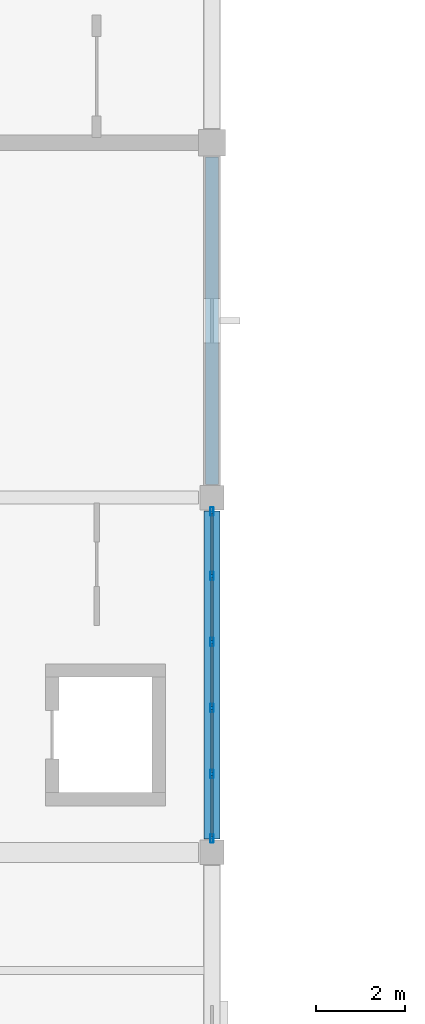
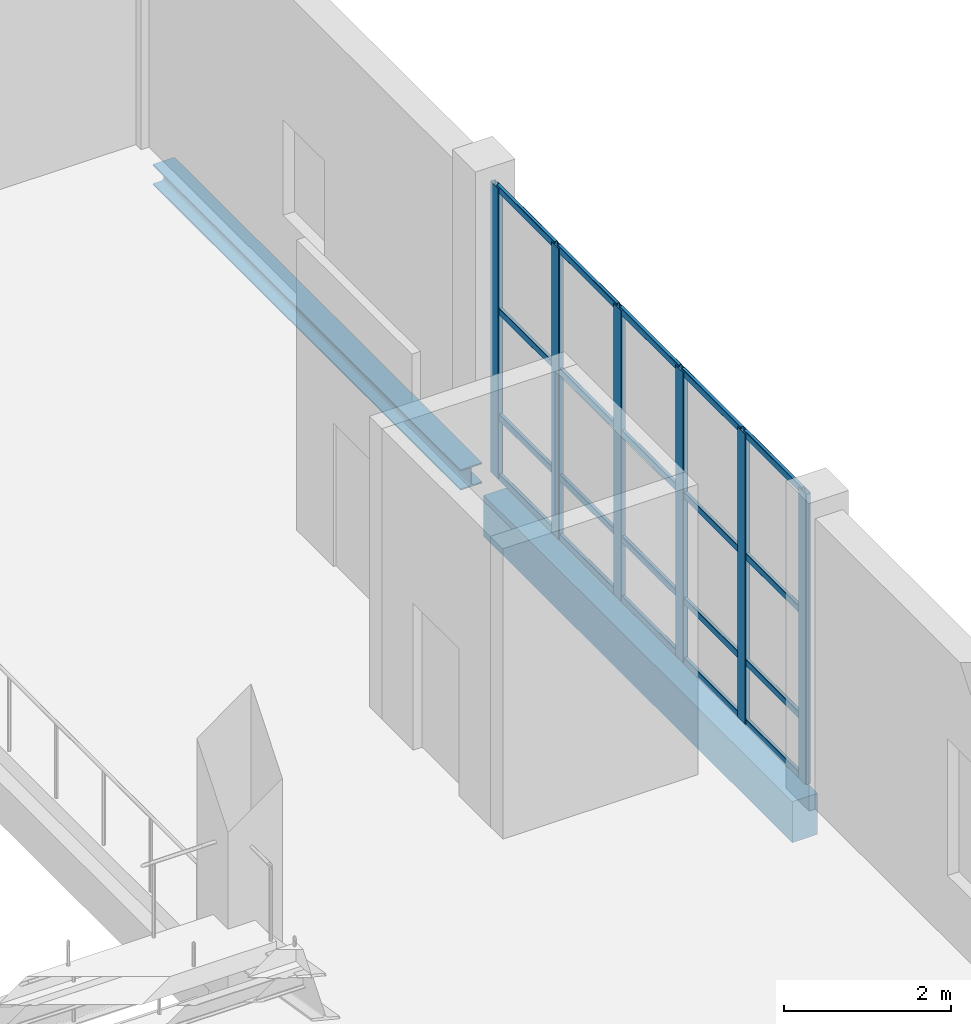
# One storey, part 51 of 183: 26 members, 2 beams, 1 element without a shape of its own.
"""IFC4 building model written with IfcOpenShell, lengths in metres."""

from ifc_helpers import new_model, si_unit, direction, frame, origin, origin_2d, place, context, subcontext, project, spatial, rectangle, hollow_rectangle, i_section, extrude, material, material_profile, profile_set, type_object, element, aggregate, save


model = new_model("IFC4")

# Units and contexts
model_context = context("Model", 3, precision=1e-05, world=origin(), true_north=direction((0.0, 1.0)))
body_context = subcontext(model_context, "Body", "Model", "MODEL_VIEW")
ifc_project = project(units=[si_unit("LENGTHUNIT", "METRE"), si_unit("AREAUNIT", "SQUARE_METRE"), si_unit("VOLUMEUNIT", "CUBIC_METRE"), si_unit("PLANEANGLEUNIT", "RADIAN"), si_unit("MASSUNIT", "GRAM", prefix="KILO")], contexts=[model_context])

# Site, building, storey
site_placement = place(None, origin())
site = spatial("IfcSite", under=ifc_project, at=site_placement, CompositionType="ELEMENT")
building_placement = place(site_placement, origin())
building = spatial("IfcBuilding", under=site, at=building_placement, Name="Luwemba Playhouse", CompositionType="ELEMENT")
storey_placement = place(building_placement, frame((0.0, 0.0, 4.800048828125)))
storey = spatial("IfcBuildingStorey", under=building, at=storey_placement, Name="L01", CompositionType="ELEMENT", Elevation=4.800048828125)

# Beams
ifc_material_1 = material(Name="Concrete C40/50", Category="concrete")
ifc_material_profile_1 = material_profile(ifc_material_1, rectangle(XDim=0.35009765625, YDim=0.60009765625, at=origin_2d()))
ifc_profile_set_1 = profile_set([ifc_material_profile_1], Name="Concrete C40/50")
beam_type_1 = type_object("IfcBeamType", Name="BM-SP3", PredefinedType="SPANDREL", material=ifc_profile_set_1)
beam_1_placement = place(storey_placement, frame((52.0, 52.300048828125, -0.550048828125), z_axis=(0.0, 1.0, 0.0), x_axis=(-1.0, 0.0, 0.0)))
element("IfcBeam", 1, at=beam_1_placement, inside=storey, type_object=beam_type_1, Name="L01 transverse girder 0373", PredefinedType="SPANDREL", context=body_context, shape_type="SweptSolid", body=[
    extrude(rectangle(XDim=0.35009765625, YDim=0.60009765625, at=origin_2d()), origin(), (0.0, 0.0, 1.0), 7.39990234375),
])
ifc_material_2 = material(Name="Steel S355", Category="steel")
ifc_material_profile_2 = material_profile(ifc_material_2, i_section(OverallWidth=0.300048828125, OverallDepth=0.300048828125, WebThickness=0.010986328125, FlangeThickness=0.01904296875, FilletRadius=0.027099609375, at=origin_2d()))
ifc_profile_set_2 = profile_set([ifc_material_profile_2], Name="Steel S355")
beam_type_2 = type_object("IfcBeamType", Name="BM-SSP1", PredefinedType="SPANDREL", material=ifc_profile_set_2)
beam_2_placement = place(storey_placement, frame((52.0, 60.300048828125, -0.400146484375), z_axis=(0.0, 1.0, 0.0), x_axis=(-1.0, 0.0, 0.0)))
element("IfcBeam", 2, at=beam_2_placement, inside=storey, type_object=beam_type_2, Name="L01 transverse girder 0374", PredefinedType="SPANDREL", context=body_context, shape_type="SweptSolid", body=[
    extrude(i_section(OverallWidth=0.300048828125, OverallDepth=0.300048828125, WebThickness=0.010986328125, FlangeThickness=0.01904296875, FilletRadius=0.027099609375, at=origin_2d()), origin(), (0.0, 0.0, 1.0), 7.375),
])

# Curtain wall, members
ifc_material_3 = material(Name="Solar-control double glazing", Category="glass")
curtain_wall_type = type_object("IfcCurtainWallType", Name="CW-CW73", PredefinedType="USERDEFINED", material=ifc_material_3)
curtain_wall_placement = place(storey_placement, origin())
curtain_wall = element("IfcCurtainWall", 3, at=curtain_wall_placement, inside=storey, type_object=curtain_wall_type, Name="L01 V1 unitised curtain wall 097", ObjectType="UNITISED GLAZING", PredefinedType="USERDEFINED")
ifc_material_4 = material(Name="Aluminium 6063-T6", Category="aluminium")
ifc_material_profile_3 = material_profile(ifc_material_4, hollow_rectangle(XDim=0.070068359375, YDim=0.18994140625, WallThickness=0.0048828125, InnerFilletRadius=0.007568359375, OuterFilletRadius=0.012451171875, at=origin_2d()))
ifc_profile_set_3 = profile_set([ifc_material_profile_3], Name="Aluminium 6063-T6")
member_type_1 = type_object("IfcMemberType", Name="CWM-M4", PredefinedType="MULLION", material=ifc_profile_set_3)
member_1_placement = place(storey_placement, frame((52.0, 59.68994140625, 0.0), z_axis=(0.0, 0.0, 1.0), x_axis=(1.0, 0.0, 0.0)))
member_1 = element("IfcMember", 4, at=member_1_placement, type_object=member_type_1, Name="CW73 mullion 1", PredefinedType="MULLION", context=body_context, shape_type="SweptSolid", body=[
    extrude(hollow_rectangle(XDim=0.070068359375, YDim=0.18994140625, WallThickness=0.0048828125, InnerFilletRadius=0.007568359375, OuterFilletRadius=0.012451171875, at=origin_2d()), origin(), (0.0, 0.0, 1.0), 4.25),
])
member_2_placement = place(storey_placement, frame((52.0, 58.235107421875, 0.0), z_axis=(0.0, 0.0, 1.0), x_axis=(1.0, 0.0, 0.0)))
member_2 = element("IfcMember", 5, at=member_2_placement, type_object=member_type_1, Name="CW73 mullion 2", PredefinedType="MULLION", context=body_context, shape_type="SweptSolid", body=[
    extrude(hollow_rectangle(XDim=0.070068359375, YDim=0.18994140625, WallThickness=0.0048828125, InnerFilletRadius=0.007568359375, OuterFilletRadius=0.012451171875, at=origin_2d()), origin(), (0.0, 0.0, 1.0), 4.25),
])
member_3_placement = place(storey_placement, frame((52.0, 56.7451171875, 0.0), z_axis=(0.0, 0.0, 1.0), x_axis=(1.0, 0.0, 0.0)))
member_3 = element("IfcMember", 6, at=member_3_placement, type_object=member_type_1, Name="CW73 mullion 3", PredefinedType="MULLION", context=body_context, shape_type="SweptSolid", body=[
    extrude(hollow_rectangle(XDim=0.070068359375, YDim=0.18994140625, WallThickness=0.0048828125, InnerFilletRadius=0.007568359375, OuterFilletRadius=0.012451171875, at=origin_2d()), origin(), (0.0, 0.0, 1.0), 4.25),
])
member_4_placement = place(storey_placement, frame((52.0, 55.2548828125, 0.0), z_axis=(0.0, 0.0, 1.0), x_axis=(1.0, 0.0, 0.0)))
member_4 = element("IfcMember", 7, at=member_4_placement, type_object=member_type_1, Name="CW73 mullion 4", PredefinedType="MULLION", context=body_context, shape_type="SweptSolid", body=[
    extrude(hollow_rectangle(XDim=0.070068359375, YDim=0.18994140625, WallThickness=0.0048828125, InnerFilletRadius=0.007568359375, OuterFilletRadius=0.012451171875, at=origin_2d()), origin(), (0.0, 0.0, 1.0), 4.25),
])
member_5_placement = place(storey_placement, frame((52.0, 53.764892578125, 0.0), z_axis=(0.0, 0.0, 1.0), x_axis=(1.0, 0.0, 0.0)))
member_5 = element("IfcMember", 8, at=member_5_placement, type_object=member_type_1, Name="CW73 mullion 5", PredefinedType="MULLION", context=body_context, shape_type="SweptSolid", body=[
    extrude(hollow_rectangle(XDim=0.070068359375, YDim=0.18994140625, WallThickness=0.0048828125, InnerFilletRadius=0.007568359375, OuterFilletRadius=0.012451171875, at=origin_2d()), origin(), (0.0, 0.0, 1.0), 4.25),
])
member_6_placement = place(storey_placement, frame((52.0, 52.31005859375, 0.0), z_axis=(0.0, 0.0, 1.0), x_axis=(1.0, 0.0, 0.0)))
member_6 = element("IfcMember", 9, at=member_6_placement, type_object=member_type_1, Name="CW73 mullion 6", PredefinedType="MULLION", context=body_context, shape_type="SweptSolid", body=[
    extrude(hollow_rectangle(XDim=0.070068359375, YDim=0.18994140625, WallThickness=0.0048828125, InnerFilletRadius=0.007568359375, OuterFilletRadius=0.012451171875, at=origin_2d()), origin(), (0.0, 0.0, 1.0), 4.25),
])
ifc_material_profile_4 = material_profile(ifc_material_4, hollow_rectangle(XDim=0.050048828125, YDim=0.10009765625, WallThickness=0.00341796875, InnerFilletRadius=0.00537109375, OuterFilletRadius=0.0087890625, at=origin_2d()))
ifc_profile_set_4 = profile_set([ifc_material_profile_4], Name="Aluminium 6063-T6")
member_type_2 = type_object("IfcMemberType", Name="CWT-T4", PredefinedType="USERDEFINED", material=ifc_profile_set_4)
member_7_placement = place(storey_placement, frame((52.0, 59.655029296875, 0.02490234375), z_axis=(0.0, -1.0, 0.0), x_axis=(1.0, 0.0, 0.0)))
member_7 = element("IfcMember", 10, at=member_7_placement, type_object=member_type_2, Name="CW73 transom 1.1", ObjectType="TRANSOM", PredefinedType="USERDEFINED", context=body_context, shape_type="SweptSolid", body=[
    extrude(hollow_rectangle(XDim=0.050048828125, YDim=0.10009765625, WallThickness=0.00341796875, InnerFilletRadius=0.00537109375, OuterFilletRadius=0.0087890625, at=origin_2d()), origin(), (0.0, 0.0, 1.0), 1.385009765625),
])
member_8_placement = place(storey_placement, frame((52.0, 59.655029296875, 0.89990234375), z_axis=(0.0, -1.0, 0.0), x_axis=(1.0, 0.0, 0.0)))
member_8 = element("IfcMember", 11, at=member_8_placement, type_object=member_type_2, Name="CW73 transom 1.2", ObjectType="TRANSOM", PredefinedType="USERDEFINED", context=body_context, shape_type="SweptSolid", body=[
    extrude(hollow_rectangle(XDim=0.050048828125, YDim=0.10009765625, WallThickness=0.00341796875, InnerFilletRadius=0.00537109375, OuterFilletRadius=0.0087890625, at=origin_2d()), origin(), (0.0, 0.0, 1.0), 1.385009765625),
])
member_9_placement = place(storey_placement, frame((52.0, 59.655029296875, 2.449951171875), z_axis=(0.0, -1.0, 0.0), x_axis=(1.0, 0.0, 0.0)))
member_9 = element("IfcMember", 12, at=member_9_placement, type_object=member_type_2, Name="CW73 transom 1.3", ObjectType="TRANSOM", PredefinedType="USERDEFINED", context=body_context, shape_type="SweptSolid", body=[
    extrude(hollow_rectangle(XDim=0.050048828125, YDim=0.10009765625, WallThickness=0.00341796875, InnerFilletRadius=0.00537109375, OuterFilletRadius=0.0087890625, at=origin_2d()), origin(), (0.0, 0.0, 1.0), 1.385009765625),
])
member_10_placement = place(storey_placement, frame((52.0, 59.655029296875, 4.224853515625), z_axis=(0.0, -1.0, 0.0), x_axis=(1.0, 0.0, 0.0)))
member_10 = element("IfcMember", 13, at=member_10_placement, type_object=member_type_2, Name="CW73 transom 1.4", ObjectType="TRANSOM", PredefinedType="USERDEFINED", context=body_context, shape_type="SweptSolid", body=[
    extrude(hollow_rectangle(XDim=0.050048828125, YDim=0.10009765625, WallThickness=0.00341796875, InnerFilletRadius=0.00537109375, OuterFilletRadius=0.0087890625, at=origin_2d()), origin(), (0.0, 0.0, 1.0), 1.385009765625),
])
member_11_placement = place(storey_placement, frame((52.0, 58.199951171875, 0.02490234375), z_axis=(0.0, -1.0, 0.0), x_axis=(1.0, 0.0, 0.0)))
member_11 = element("IfcMember", 14, at=member_11_placement, type_object=member_type_2, Name="CW73 transom 2.1", ObjectType="TRANSOM", PredefinedType="USERDEFINED", context=body_context, shape_type="SweptSolid", body=[
    extrude(hollow_rectangle(XDim=0.050048828125, YDim=0.10009765625, WallThickness=0.00341796875, InnerFilletRadius=0.00537109375, OuterFilletRadius=0.0087890625, at=origin_2d()), origin(), (0.0, 0.0, 1.0), 1.419921875),
])
member_12_placement = place(storey_placement, frame((52.0, 58.199951171875, 0.89990234375), z_axis=(0.0, -1.0, 0.0), x_axis=(1.0, 0.0, 0.0)))
member_12 = element("IfcMember", 15, at=member_12_placement, type_object=member_type_2, Name="CW73 transom 2.2", ObjectType="TRANSOM", PredefinedType="USERDEFINED", context=body_context, shape_type="SweptSolid", body=[
    extrude(hollow_rectangle(XDim=0.050048828125, YDim=0.10009765625, WallThickness=0.00341796875, InnerFilletRadius=0.00537109375, OuterFilletRadius=0.0087890625, at=origin_2d()), origin(), (0.0, 0.0, 1.0), 1.419921875),
])
member_13_placement = place(storey_placement, frame((52.0, 58.199951171875, 2.449951171875), z_axis=(0.0, -1.0, 0.0), x_axis=(1.0, 0.0, 0.0)))
member_13 = element("IfcMember", 16, at=member_13_placement, type_object=member_type_2, Name="CW73 transom 2.3", ObjectType="TRANSOM", PredefinedType="USERDEFINED", context=body_context, shape_type="SweptSolid", body=[
    extrude(hollow_rectangle(XDim=0.050048828125, YDim=0.10009765625, WallThickness=0.00341796875, InnerFilletRadius=0.00537109375, OuterFilletRadius=0.0087890625, at=origin_2d()), origin(), (0.0, 0.0, 1.0), 1.419921875),
])
member_14_placement = place(storey_placement, frame((52.0, 58.199951171875, 4.224853515625), z_axis=(0.0, -1.0, 0.0), x_axis=(1.0, 0.0, 0.0)))
member_14 = element("IfcMember", 17, at=member_14_placement, type_object=member_type_2, Name="CW73 transom 2.4", ObjectType="TRANSOM", PredefinedType="USERDEFINED", context=body_context, shape_type="SweptSolid", body=[
    extrude(hollow_rectangle(XDim=0.050048828125, YDim=0.10009765625, WallThickness=0.00341796875, InnerFilletRadius=0.00537109375, OuterFilletRadius=0.0087890625, at=origin_2d()), origin(), (0.0, 0.0, 1.0), 1.419921875),
])
member_15_placement = place(storey_placement, frame((52.0, 56.7099609375, 0.02490234375), z_axis=(0.0, -1.0, 0.0), x_axis=(1.0, 0.0, 0.0)))
member_15 = element("IfcMember", 18, at=member_15_placement, type_object=member_type_2, Name="CW73 transom 3.1", ObjectType="TRANSOM", PredefinedType="USERDEFINED", context=body_context, shape_type="SweptSolid", body=[
    extrude(hollow_rectangle(XDim=0.050048828125, YDim=0.10009765625, WallThickness=0.00341796875, InnerFilletRadius=0.00537109375, OuterFilletRadius=0.0087890625, at=origin_2d()), origin(), (0.0, 0.0, 1.0), 1.419921875),
])
member_16_placement = place(storey_placement, frame((52.0, 56.7099609375, 0.89990234375), z_axis=(0.0, -1.0, 0.0), x_axis=(1.0, 0.0, 0.0)))
member_16 = element("IfcMember", 19, at=member_16_placement, type_object=member_type_2, Name="CW73 transom 3.2", ObjectType="TRANSOM", PredefinedType="USERDEFINED", context=body_context, shape_type="SweptSolid", body=[
    extrude(hollow_rectangle(XDim=0.050048828125, YDim=0.10009765625, WallThickness=0.00341796875, InnerFilletRadius=0.00537109375, OuterFilletRadius=0.0087890625, at=origin_2d()), origin(), (0.0, 0.0, 1.0), 1.419921875),
])
member_17_placement = place(storey_placement, frame((52.0, 56.7099609375, 2.449951171875), z_axis=(0.0, -1.0, 0.0), x_axis=(1.0, 0.0, 0.0)))
member_17 = element("IfcMember", 20, at=member_17_placement, type_object=member_type_2, Name="CW73 transom 3.3", ObjectType="TRANSOM", PredefinedType="USERDEFINED", context=body_context, shape_type="SweptSolid", body=[
    extrude(hollow_rectangle(XDim=0.050048828125, YDim=0.10009765625, WallThickness=0.00341796875, InnerFilletRadius=0.00537109375, OuterFilletRadius=0.0087890625, at=origin_2d()), origin(), (0.0, 0.0, 1.0), 1.419921875),
])
member_18_placement = place(storey_placement, frame((52.0, 56.7099609375, 4.224853515625), z_axis=(0.0, -1.0, 0.0), x_axis=(1.0, 0.0, 0.0)))
member_18 = element("IfcMember", 21, at=member_18_placement, type_object=member_type_2, Name="CW73 transom 3.4", ObjectType="TRANSOM", PredefinedType="USERDEFINED", context=body_context, shape_type="SweptSolid", body=[
    extrude(hollow_rectangle(XDim=0.050048828125, YDim=0.10009765625, WallThickness=0.00341796875, InnerFilletRadius=0.00537109375, OuterFilletRadius=0.0087890625, at=origin_2d()), origin(), (0.0, 0.0, 1.0), 1.419921875),
])
member_19_placement = place(storey_placement, frame((52.0, 55.219970703125, 0.02490234375), z_axis=(0.0, -1.0, 0.0), x_axis=(1.0, 0.0, 0.0)))
member_19 = element("IfcMember", 22, at=member_19_placement, type_object=member_type_2, Name="CW73 transom 4.1", ObjectType="TRANSOM", PredefinedType="USERDEFINED", context=body_context, shape_type="SweptSolid", body=[
    extrude(hollow_rectangle(XDim=0.050048828125, YDim=0.10009765625, WallThickness=0.00341796875, InnerFilletRadius=0.00537109375, OuterFilletRadius=0.0087890625, at=origin_2d()), origin(), (0.0, 0.0, 1.0), 1.419921875),
])
member_20_placement = place(storey_placement, frame((52.0, 55.219970703125, 0.89990234375), z_axis=(0.0, -1.0, 0.0), x_axis=(1.0, 0.0, 0.0)))
member_20 = element("IfcMember", 23, at=member_20_placement, type_object=member_type_2, Name="CW73 transom 4.2", ObjectType="TRANSOM", PredefinedType="USERDEFINED", context=body_context, shape_type="SweptSolid", body=[
    extrude(hollow_rectangle(XDim=0.050048828125, YDim=0.10009765625, WallThickness=0.00341796875, InnerFilletRadius=0.00537109375, OuterFilletRadius=0.0087890625, at=origin_2d()), origin(), (0.0, 0.0, 1.0), 1.419921875),
])
member_21_placement = place(storey_placement, frame((52.0, 55.219970703125, 2.449951171875), z_axis=(0.0, -1.0, 0.0), x_axis=(1.0, 0.0, 0.0)))
member_21 = element("IfcMember", 24, at=member_21_placement, type_object=member_type_2, Name="CW73 transom 4.3", ObjectType="TRANSOM", PredefinedType="USERDEFINED", context=body_context, shape_type="SweptSolid", body=[
    extrude(hollow_rectangle(XDim=0.050048828125, YDim=0.10009765625, WallThickness=0.00341796875, InnerFilletRadius=0.00537109375, OuterFilletRadius=0.0087890625, at=origin_2d()), origin(), (0.0, 0.0, 1.0), 1.419921875),
])
member_22_placement = place(storey_placement, frame((52.0, 55.219970703125, 4.224853515625), z_axis=(0.0, -1.0, 0.0), x_axis=(1.0, 0.0, 0.0)))
member_22 = element("IfcMember", 25, at=member_22_placement, type_object=member_type_2, Name="CW73 transom 4.4", ObjectType="TRANSOM", PredefinedType="USERDEFINED", context=body_context, shape_type="SweptSolid", body=[
    extrude(hollow_rectangle(XDim=0.050048828125, YDim=0.10009765625, WallThickness=0.00341796875, InnerFilletRadius=0.00537109375, OuterFilletRadius=0.0087890625, at=origin_2d()), origin(), (0.0, 0.0, 1.0), 1.419921875),
])
member_23_placement = place(storey_placement, frame((52.0, 53.72998046875, 0.02490234375), z_axis=(0.0, -1.0, 0.0), x_axis=(1.0, 0.0, 0.0)))
member_23 = element("IfcMember", 26, at=member_23_placement, type_object=member_type_2, Name="CW73 transom 5.1", ObjectType="TRANSOM", PredefinedType="USERDEFINED", context=body_context, shape_type="SweptSolid", body=[
    extrude(hollow_rectangle(XDim=0.050048828125, YDim=0.10009765625, WallThickness=0.00341796875, InnerFilletRadius=0.00537109375, OuterFilletRadius=0.0087890625, at=origin_2d()), origin(), (0.0, 0.0, 1.0), 1.385009765625),
])
member_24_placement = place(storey_placement, frame((52.0, 53.72998046875, 0.89990234375), z_axis=(0.0, -1.0, 0.0), x_axis=(1.0, 0.0, 0.0)))
member_24 = element("IfcMember", 27, at=member_24_placement, type_object=member_type_2, Name="CW73 transom 5.2", ObjectType="TRANSOM", PredefinedType="USERDEFINED", context=body_context, shape_type="SweptSolid", body=[
    extrude(hollow_rectangle(XDim=0.050048828125, YDim=0.10009765625, WallThickness=0.00341796875, InnerFilletRadius=0.00537109375, OuterFilletRadius=0.0087890625, at=origin_2d()), origin(), (0.0, 0.0, 1.0), 1.385009765625),
])
member_25_placement = place(storey_placement, frame((52.0, 53.72998046875, 2.449951171875), z_axis=(0.0, -1.0, 0.0), x_axis=(1.0, 0.0, 0.0)))
member_25 = element("IfcMember", 28, at=member_25_placement, type_object=member_type_2, Name="CW73 transom 5.3", ObjectType="TRANSOM", PredefinedType="USERDEFINED", context=body_context, shape_type="SweptSolid", body=[
    extrude(hollow_rectangle(XDim=0.050048828125, YDim=0.10009765625, WallThickness=0.00341796875, InnerFilletRadius=0.00537109375, OuterFilletRadius=0.0087890625, at=origin_2d()), origin(), (0.0, 0.0, 1.0), 1.385009765625),
])
member_26_placement = place(storey_placement, frame((52.0, 53.72998046875, 4.224853515625), z_axis=(0.0, -1.0, 0.0), x_axis=(1.0, 0.0, 0.0)))
member_26 = element("IfcMember", 29, at=member_26_placement, type_object=member_type_2, Name="CW73 transom 5.4", ObjectType="TRANSOM", PredefinedType="USERDEFINED", context=body_context, shape_type="SweptSolid", body=[
    extrude(hollow_rectangle(XDim=0.050048828125, YDim=0.10009765625, WallThickness=0.00341796875, InnerFilletRadius=0.00537109375, OuterFilletRadius=0.0087890625, at=origin_2d()), origin(), (0.0, 0.0, 1.0), 1.385009765625),
])
aggregate(curtain_wall, [member_1, member_2, member_3, member_4, member_5, member_6, member_7, member_8, member_9, member_10, member_11, member_12, member_13, member_14, member_15, member_16, member_17, member_18, member_19, member_20, member_21, member_22, member_23, member_24, member_25, member_26])

save(model, "model.ifc")
